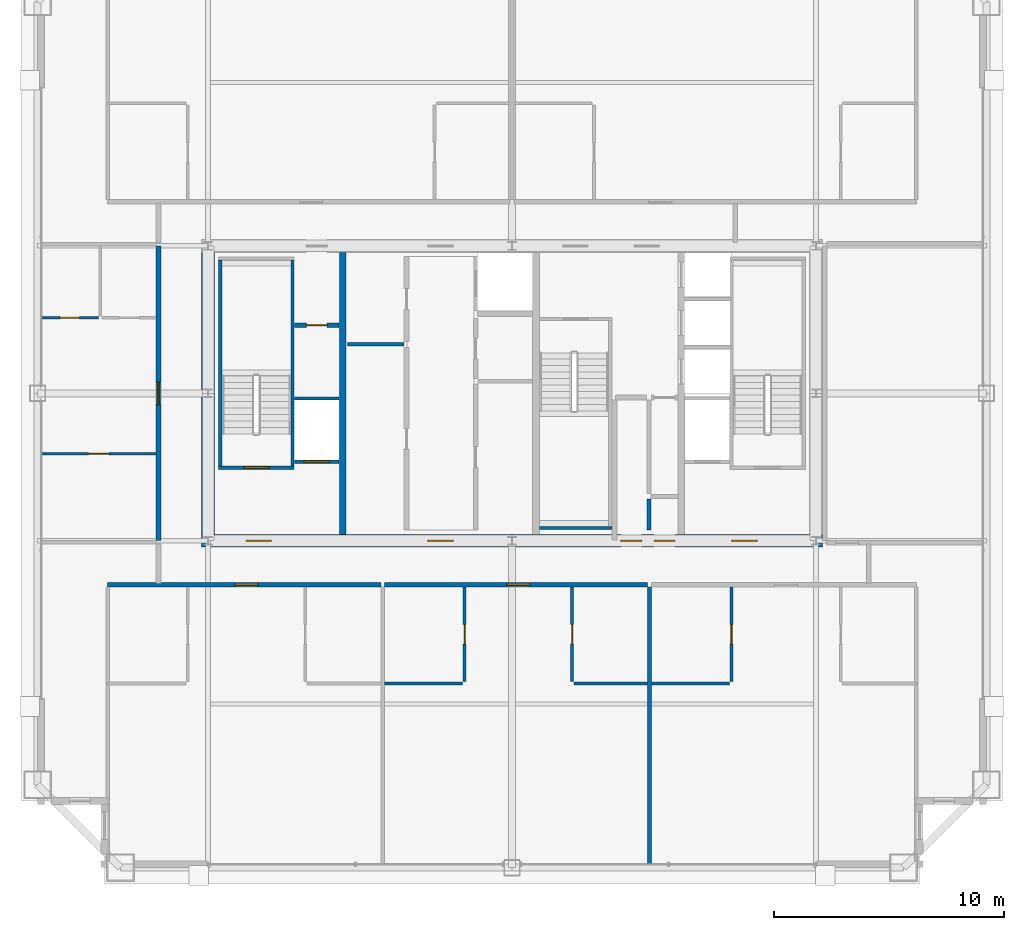
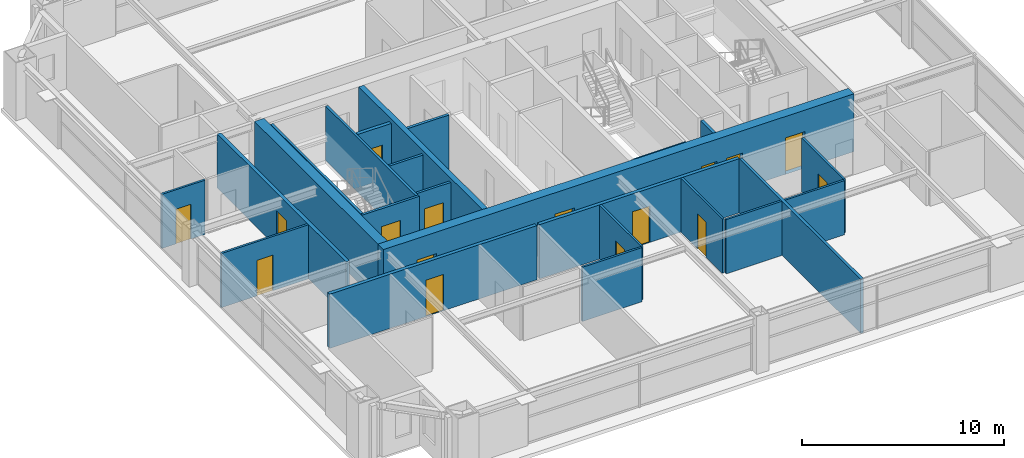
# One storey, part 33 of 37: 24 walls, 16 doors, 16 openings.
"""IFC4 building model written with IfcOpenShell, lengths in metres."""

import ifcopenshell
import ifcopenshell.guid

model = None  # the IFC model being written
_history = None  # IfcOwnerHistory: only IFC2X3 demands one
_inside = {}  # id of a spatial element -> (the spatial element, [elements in it])
_under = {}  # id of a project, library or spatial element -> (it, [spatial elements below it])
_declared = {}  # id of a project -> (the project, [libraries it declares])
_typed = {}  # id of a type object -> (the type object, [elements of that type])
_made_of = {}  # id of a material, layer set ... -> (it, [elements and type objects made of it])


def new_model(schema):
    """Start an empty IFC model of exactly this schema.

    Asked for "IFC4X3", IfcOpenShell would pick the latest addendum, in which some entities
    have other attributes; the version numbers below select the first issue.
    IFC2X3 requires an IfcOwnerHistory on every rooted entity: one is made here for all.
    """
    global model, _history
    if schema == "IFC4X3":
        model = ifcopenshell.file(schema_version=(4, 3, 0, 0))
    else:
        model = ifcopenshell.file(schema=schema)
    _inside.clear()
    _under.clear()
    _declared.clear()
    _typed.clear()
    _made_of.clear()
    _history = None
    if model.schema == "IFC2X3":
        org = make("IfcOrganization", Name="unknown")
        user = make(
            "IfcPersonAndOrganization",
            ThePerson=make("IfcPerson", FamilyName="unknown"),
            TheOrganization=org,
        )
        app = make(
            "IfcApplication",
            ApplicationDeveloper=org,
            Version="unknown",
            ApplicationFullName="unknown",
            ApplicationIdentifier="unknown",
        )
        _history = make(
            "IfcOwnerHistory",
            OwningUser=user,
            OwningApplication=app,
            ChangeAction="ADDED",
            CreationDate=0,
        )
    return model


def make(cls, **values):
    """One entity of the class cls with the attributes given. An attribute that is None is left unset."""
    return model.create_entity(
        cls, **{name: value for name, value in values.items() if value is not None}
    )


def rooted(cls, **values):
    """An entity with a GlobalId (a new one), such as an element, a storey or a relation."""
    return make(cls, GlobalId=ifcopenshell.guid.new(), OwnerHistory=_history, **values)


def si_unit(unit_type, name, prefix=None):
    """IfcSIUnit, for example si_unit("LENGTHUNIT", "METRE", prefix="MILLI")."""
    return make("IfcSIUnit", UnitType=unit_type, Prefix=prefix, Name=name)


def assignment(units):
    """IfcUnitAssignment: the units of a project."""
    return None if units is None else make("IfcUnitAssignment", Units=units)


def point(xyz):
    """IfcCartesianPoint."""
    return None if xyz is None else make("IfcCartesianPoint", Coordinates=xyz)


def direction(xyz):
    """IfcDirection."""
    return None if xyz is None else make("IfcDirection", DirectionRatios=xyz)


def frame(location, z_axis=None, x_axis=None):
    """IfcAxis2Placement3D, a coordinate frame: its origin and axes. An axis left out is left unset."""
    return make(
        "IfcAxis2Placement3D",
        Location=point(location),
        Axis=direction(z_axis),
        RefDirection=direction(x_axis),
    )


def frame_2d(location, x_axis=None):
    """IfcAxis2Placement2D, a coordinate frame in the plane: its origin and x axis."""
    return make(
        "IfcAxis2Placement2D", Location=point(location), RefDirection=direction(x_axis)
    )


def origin():
    """The frame at (0, 0, 0) with its axes left unset."""
    return frame((0.0, 0.0, 0.0))


def place(relative_to, where):
    """IfcLocalPlacement: puts the frame where relative to a parent placement (None: the world)."""
    return make(
        "IfcLocalPlacement", PlacementRelTo=relative_to, RelativePlacement=where
    )


def context(
    kind, dimensions, precision=None, world=None, true_north=None, identifier=None
):
    """IfcGeometricRepresentationContext, for example the 3D "Model" context."""
    return make(
        "IfcGeometricRepresentationContext",
        ContextIdentifier=identifier,
        ContextType=kind,
        CoordinateSpaceDimension=dimensions,
        Precision=precision,
        WorldCoordinateSystem=world,
        TrueNorth=true_north,
    )


def subcontext(parent, identifier, kind, view, scale=None):
    """IfcGeometricRepresentationSubContext, for example "Body" below "Model"."""
    return make(
        "IfcGeometricRepresentationSubContext",
        ContextIdentifier=identifier,
        ContextType=kind,
        ParentContext=parent,
        TargetScale=scale,
        TargetView=view,
    )


def project(units=None, contexts=None):
    """IfcProject with its units and contexts."""
    return rooted(
        "IfcProject",
        Name="project",
        RepresentationContexts=contexts,
        UnitsInContext=assignment(units),
    )


def spatial(cls, under=None, at=None, **own):
    """A site, building, storey or space (cls), placed at a placement, below another one or the project."""
    s = rooted(cls, ObjectPlacement=at, **own)
    if under is not None:
        _under.setdefault(under.id(), (under, []))[1].append(s)
    return s


def profile(cls, at=None, kind="AREA", **sizes):
    """A parametric profile (cls). Its sizes go by their IFC names, for example OverallWidth=200.0."""
    return make(cls, ProfileType=kind, Position=at, **sizes)


def rectangle(**sizes):
    """IfcRectangleProfileDef."""
    return profile("IfcRectangleProfileDef", **sizes)


def extrude(swept, where, along, depth):
    """IfcExtrudedAreaSolid: the profile swept, set in the frame where, extruded along a direction by depth."""
    return make(
        "IfcExtrudedAreaSolid",
        SweptArea=swept,
        Position=where,
        ExtrudedDirection=direction(along),
        Depth=depth,
    )


def shape(context_of_items, identifier, shape_type, items):
    """IfcShapeRepresentation: the items that make up one representation, for example the "Body"."""
    return make(
        "IfcShapeRepresentation",
        ContextOfItems=context_of_items,
        RepresentationIdentifier=identifier,
        RepresentationType=shape_type,
        Items=items,
    )


def source(mapping_origin, context_of_items, identifier, shape_type, items):
    """IfcRepresentationMap: a shape defined once, which mapped items show again and again."""
    return make(
        "IfcRepresentationMap",
        MappingOrigin=mapping_origin,
        MappedRepresentation=shape(context_of_items, identifier, shape_type, items),
    )


def transform(
    local_origin,
    x_axis=None,
    y_axis=None,
    z_axis=None,
    scale=None,
    scale2=None,
    scale3=None,
    uniform=True,
):
    """IfcCartesianTransformationOperator3D, or its non-uniform kind. x_axis, y_axis, z_axis: its Axis1, 2, 3."""
    if uniform:
        return make(
            "IfcCartesianTransformationOperator3D",
            Axis1=direction(x_axis),
            Axis2=direction(y_axis),
            LocalOrigin=point(local_origin),
            Scale=scale,
            Axis3=direction(z_axis),
        )
    return make(
        "IfcCartesianTransformationOperator3DnonUniform",
        Axis1=direction(x_axis),
        Axis2=direction(y_axis),
        LocalOrigin=point(local_origin),
        Scale=scale,
        Axis3=direction(z_axis),
        Scale2=scale2,
        Scale3=scale3,
    )


def mapped(mapping_source, mapping_target):
    """IfcMappedItem: shows the shape of a source again, moved by a transform."""
    return make(
        "IfcMappedItem", MappingSource=mapping_source, MappingTarget=mapping_target
    )


def material(Name=None, Category=None):
    """IfcMaterial."""
    return make("IfcMaterial", Name=Name, Category=Category)


def layer(
    of_material, thickness, ventilated=None, Name=None, Category=None, Priority=None
):
    """IfcMaterialLayer: one layer of a wall or slab, of a material (None: an air gap)."""
    return make(
        "IfcMaterialLayer",
        Material=of_material,
        LayerThickness=thickness,
        IsVentilated=ventilated,
        Name=Name,
        Category=Category,
        Priority=Priority,
    )


def layer_set(layers, Name=None):
    """IfcMaterialLayerSet."""
    return make("IfcMaterialLayerSet", MaterialLayers=layers, LayerSetName=Name)


def made_of(thing, what):
    """Note that an element or type object is made of a material, layer set ...; save() writes the relation."""
    if what is not None:
        _made_of.setdefault(what.id(), (what, []))[1].append(thing)
    return thing


def type_object(cls, material=None, **own):
    """A type object (cls), such as IfcWallType, which elements share."""
    return made_of(rooted(cls, **own), material)


def element(
    cls,
    number,
    at=None,
    inside=None,
    cuts=None,
    type_object=None,
    material=None,
    context=None,
    identifier="Body",
    shape_type=None,
    held_by="IfcProductDefinitionShape",
    body=None,
    shapes=None,
    **own,
):
    """One element of the class cls, such as IfcWall. Its Tag is "e" and its number.

    at: its placement. inside: the storey or other place that contains it. cuts: it is an
    opening in that element (IfcRelVoidsElement). A single representation is given by context,
    identifier, shape_type and body (its items); several are given by shapes. held_by: the class
    of the entity that holds the representations. save() writes the other relations.
    """
    e = rooted(cls, Tag="e%d" % number, ObjectPlacement=at, **own)
    if body is not None:
        shapes = [shape(context, identifier, shape_type, body)]
    if shapes is not None:
        e.Representation = make(held_by, Representations=shapes)
    if inside is not None:
        _inside.setdefault(inside.id(), (inside, []))[1].append(e)
    if cuts is not None:
        rooted(
            "IfcRelVoidsElement", RelatingBuildingElement=cuts, RelatedOpeningElement=e
        )
    if type_object is not None:
        _typed.setdefault(type_object.id(), (type_object, []))[1].append(e)
    return made_of(e, material)


def fill(opening, filler):
    """IfcRelFillsElement: the door or window that sits in an opening."""
    return rooted(
        "IfcRelFillsElement",
        RelatingOpeningElement=opening,
        RelatedBuildingElement=filler,
    )


def aggregate(whole, parts):
    """IfcRelAggregates: a whole, such as a stair, and the parts it consists of."""
    return rooted("IfcRelAggregates", RelatingObject=whole, RelatedObjects=parts)


def save(model, path):
    """Write the relations noted so far, then the file.

    IfcRelAggregates (storeys below a building ...), IfcRelContainedInSpatialStructure (elements
    in a storey), IfcRelDefinesByType, IfcRelAssociatesMaterial and IfcRelDeclares: one each for
    every whole, place, type object, material and project.
    """
    for whole, parts in _under.values():
        aggregate(whole, parts)
    for where, things in _inside.values():
        rooted(
            "IfcRelContainedInSpatialStructure",
            RelatedElements=things,
            RelatingStructure=where,
        )
    for kind, things in _typed.values():
        rooted("IfcRelDefinesByType", RelatedObjects=things, RelatingType=kind)
    for what, things in _made_of.values():
        rooted("IfcRelAssociatesMaterial", RelatedObjects=things, RelatingMaterial=what)
    for by, libraries in _declared.values():
        rooted("IfcRelDeclares", RelatingContext=by, RelatedDefinitions=libraries)
    model.write(path)


model = new_model("IFC4")

# Units and contexts
model_context = context("Model", 3, precision=1e-05, world=origin(), true_north=direction((0.0, 1.0)))
body_context = subcontext(model_context, "Body", "Model", "MODEL_VIEW")
ifc_project = project(units=[si_unit("LENGTHUNIT", "METRE"), si_unit("AREAUNIT", "SQUARE_METRE"), si_unit("VOLUMEUNIT", "CUBIC_METRE"), si_unit("PLANEANGLEUNIT", "RADIAN"), si_unit("MASSUNIT", "GRAM", prefix="KILO"), si_unit("THERMODYNAMICTEMPERATUREUNIT", "KELVIN"), si_unit("POWERUNIT", "WATT")], contexts=[model_context])

# Site, building, storey
site_placement = place(None, origin())
site = spatial("IfcSite", under=ifc_project, at=site_placement, CompositionType="ELEMENT")
building_placement = place(site_placement, origin())
building = spatial("IfcBuilding", under=site, at=building_placement, Name="Yuzanri Waterfront Tower", CompositionType="ELEMENT")
storey_placement = place(building_placement, frame((0.0, 0.0, 268.10009765625)))
storey = spatial("IfcBuildingStorey", under=building, at=storey_placement, Name="L71", CompositionType="ELEMENT", Elevation=268.10009765625)

# Wall, opening, door
ifc_material_1 = material(Name="Moisture-Resistant Gypsum Stud Wall", Category="gypsum")
ifc_layer_1 = layer(ifc_material_1, 0.1201171875)
ifc_layer_set_1 = layer_set([ifc_layer_1], Name="Moisture-Resistant Gypsum Stud Wall")
wall_type_1 = type_object("IfcWallType", Name="Bathroom and Kitchen Wet Partition 120", PredefinedType="PARTITIONING", material=ifc_layer_set_1)
wall_1_placement = place(storey_placement, frame((34.94091796875, 13.280029296875, 0.0), z_axis=(0.0, 0.0, 1.0), x_axis=(0.0, 1.0, 0.0)))
wall_1 = element("IfcWall", 1, at=wall_1_placement, inside=storey, type_object=wall_type_1, Name="L71 Partition UW-L71-HS2-SUB-1-E", PredefinedType="PARTITIONING", context=body_context, shape_type="SweptSolid", body=[
    extrude(rectangle(XDim=4.10986328125, YDim=0.1201171875, at=frame_2d((2.054931640625, 0.0))), origin(), (0.0, 0.0, 1.0), 3.27978515625),
])
opening_1_placement = place(wall_1_placement, frame((1.6298828125, 0.0, 0.0)))
opening_1 = element("IfcOpeningElement", 2, at=opening_1_placement, cuts=wall_1, Name="Opening ID-0850", PredefinedType="OPENING", context=body_context, shape_type="SweptSolid", body=[
    extrude(rectangle(XDim=0.85009765625, YDim=2.10009765625, at=frame_2d((0.425048828125, 1.050048828125))), frame((0.0, 0.074951171875, 0.0), z_axis=(0.0, -1.0, 0.0), x_axis=(1.0, 0.0, 0.0)), (0.0, 0.0, 1.0), 0.14990234375),
])
ifc_material_2 = material(Name="Moisture-Resistant Lacquered Timber", Category="wood")
door_type_1 = type_object("IfcDoorType", Name="En-Suite Bathroom and Kitchen Swing Door 850x2100", OperationType="NOTDEFINED", PredefinedType="DOOR", material=ifc_material_2)
shared_shape_1 = source(origin(), body_context, "Body", "SweptSolid", [
    extrude(rectangle(XDim=0.85009765625, YDim=2.10009765625, at=frame_2d((0.425048828125, 1.050048828125))), frame((0.0, 0.02490234375, 0.0), z_axis=(0.0, -1.0, 0.0), x_axis=(1.0, 0.0, 0.0)), (0.0, 0.0, 1.0), 0.050048828125),
])
door_1_placement = place(opening_1_placement, origin())
door_1 = element("IfcDoor", 3, at=door_1_placement, inside=storey, type_object=door_type_1, Name="L71 Suite Interior Room Door", OperationType="SINGLE_SWING_LEFT", OverallHeight=2.10009765625, OverallWidth=0.85009765625, PredefinedType="DOOR", context=body_context, shape_type="MappedRepresentation", body=[
    mapped(shared_shape_1, transform((0.0, 0.0, 0.0), scale=1.0)),
])
fill(opening_1, door_1)

wall_2_placement = place(storey_placement, frame((39.610107421875, 13.280029296875, 0.0), z_axis=(0.0, 0.0, 1.0), x_axis=(0.0, 1.0, 0.0)))
wall_2 = element("IfcWall", 4, at=wall_2_placement, inside=storey, type_object=wall_type_1, Name="L71 Partition UW-L71-HS2-SUB-2-W", PredefinedType="PARTITIONING", context=body_context, shape_type="SweptSolid", body=[
    extrude(rectangle(XDim=4.10986328125, YDim=0.1201171875, at=frame_2d((2.054931640625, 0.0))), origin(), (0.0, 0.0, 1.0), 3.27978515625),
])
opening_2_placement = place(wall_2_placement, frame((1.6298828125, 0.0, 0.0)))
opening_2 = element("IfcOpeningElement", 5, at=opening_2_placement, cuts=wall_2, Name="Opening ID-0850", PredefinedType="OPENING", context=body_context, shape_type="SweptSolid", body=[
    extrude(rectangle(XDim=0.85009765625, YDim=2.10009765625, at=frame_2d((0.425048828125, 1.050048828125))), frame((0.0, 0.074951171875, 0.0), z_axis=(0.0, -1.0, 0.0), x_axis=(1.0, 0.0, 0.0)), (0.0, 0.0, 1.0), 0.14990234375),
])
door_2_placement = place(opening_2_placement, origin())
door_2 = element("IfcDoor", 6, at=door_2_placement, inside=storey, type_object=door_type_1, Name="L71 Suite Interior Room Door", OperationType="SINGLE_SWING_RIGHT", OverallHeight=2.10009765625, OverallWidth=0.85009765625, PredefinedType="DOOR", context=body_context, shape_type="MappedRepresentation", body=[
    mapped(shared_shape_1, transform((0.0, 0.0, 0.0), scale=1.0)),
])
fill(opening_2, door_2)

wall_3_placement = place(storey_placement, frame((46.530029296875, 13.280029296875, 0.0), z_axis=(0.0, 0.0, 1.0), x_axis=(0.0, 1.0, 0.0)))
wall_3 = element("IfcWall", 7, at=wall_3_placement, inside=storey, type_object=wall_type_1, Name="L71 Partition UW-L71-HS3-SUB-1-E", PredefinedType="PARTITIONING", context=body_context, shape_type="SweptSolid", body=[
    extrude(rectangle(XDim=4.10986328125, YDim=0.1201171875, at=frame_2d((2.054931640625, 0.0))), origin(), (0.0, 0.0, 1.0), 3.27978515625),
])
opening_3_placement = place(wall_3_placement, frame((1.6298828125, 0.0, 0.0)))
opening_3 = element("IfcOpeningElement", 8, at=opening_3_placement, cuts=wall_3, Name="Opening ID-0850", PredefinedType="OPENING", context=body_context, shape_type="SweptSolid", body=[
    extrude(rectangle(XDim=0.85009765625, YDim=2.10009765625, at=frame_2d((0.425048828125, 1.050048828125))), frame((0.0, 0.074951171875, 0.0), z_axis=(0.0, -1.0, 0.0), x_axis=(1.0, 0.0, 0.0)), (0.0, 0.0, 1.0), 0.14990234375),
])
door_3_placement = place(opening_3_placement, origin())
door_3 = element("IfcDoor", 9, at=door_3_placement, inside=storey, type_object=door_type_1, Name="L71 Suite Interior Room Door", OperationType="SINGLE_SWING_RIGHT", OverallHeight=2.10009765625, OverallWidth=0.85009765625, PredefinedType="DOOR", context=body_context, shape_type="MappedRepresentation", body=[
    mapped(shared_shape_1, transform((0.0, 0.0, 0.0), scale=1.0)),
])
fill(opening_3, door_3)

wall_4_placement = place(storey_placement, frame((16.550048828125, 29.080078125, 0.0), z_axis=(0.0, 0.0, 1.0), x_axis=(1.0, 0.0, 0.0)))
wall_4 = element("IfcWall", 10, at=wall_4_placement, inside=storey, type_object=wall_type_1, Name="L71 Partition UW-L71-HW1-SUB-1-S", PredefinedType="PARTITIONING", context=body_context, shape_type="SweptSolid", body=[
    extrude(rectangle(XDim=2.48486328125, YDim=0.1201171875, at=frame_2d((1.242431640625, 0.0))), origin(), (0.0, 0.0, 1.0), 3.27978515625),
])
opening_4_placement = place(wall_4_placement, frame((0.8173828125, 0.0, 0.0)))
opening_4 = element("IfcOpeningElement", 11, at=opening_4_placement, cuts=wall_4, Name="Opening ID-0850", PredefinedType="OPENING", context=body_context, shape_type="SweptSolid", body=[
    extrude(rectangle(XDim=0.85009765625, YDim=2.10009765625, at=frame_2d((0.425048828125, 1.050048828125))), frame((0.0, 0.074951171875, 0.0), z_axis=(0.0, -1.0, 0.0), x_axis=(1.0, 0.0, 0.0)), (0.0, 0.0, 1.0), 0.14990234375),
])
door_4_placement = place(opening_4_placement, origin())
door_4 = element("IfcDoor", 12, at=door_4_placement, inside=storey, type_object=door_type_1, Name="L71 Suite Interior Room Door", OperationType="SINGLE_SWING_LEFT", OverallHeight=2.10009765625, OverallWidth=0.85009765625, PredefinedType="DOOR", context=body_context, shape_type="MappedRepresentation", body=[
    mapped(shared_shape_1, transform((0.0, 0.0, 0.0), scale=1.0)),
])
fill(opening_4, door_4)

wall_5_placement = place(storey_placement, frame((16.550048828125, 23.179931640625, 0.0), z_axis=(0.0, 0.0, 1.0), x_axis=(1.0, 0.0, 0.0)))
wall_5 = element("IfcWall", 13, at=wall_5_placement, inside=storey, type_object=wall_type_1, Name="L71 Partition UW-L71-HW1-SUB-3-N", PredefinedType="PARTITIONING", context=body_context, shape_type="SweptSolid", body=[
    extrude(rectangle(XDim=5.0, YDim=0.1201171875, at=frame_2d((2.5, 0.0))), origin(), (0.0, 0.0, 1.0), 3.27978515625),
])
opening_5_placement = place(wall_5_placement, frame((2.050048828125, 0.0, 0.0)))
opening_5 = element("IfcOpeningElement", 14, at=opening_5_placement, cuts=wall_5, Name="Opening ID-0900", PredefinedType="OPENING", context=body_context, shape_type="SweptSolid", body=[
    extrude(rectangle(XDim=0.89990234375, YDim=2.14990234375, at=frame_2d((0.449951171875, 1.074951171875))), frame((0.0, 0.074951171875, 0.0), z_axis=(0.0, -1.0, 0.0), x_axis=(1.0, 0.0, 0.0)), (0.0, 0.0, 1.0), 0.14990234375),
])
ifc_material_3 = material(Name="Stained Walnut Veneer Timber", Category="wood")
door_type_2 = type_object("IfcDoorType", Name="Bedroom and Study Interior Swing Door 900x2150", OperationType="NOTDEFINED", PredefinedType="DOOR", material=ifc_material_3)
shared_shape_2 = source(origin(), body_context, "Body", "SweptSolid", [
    extrude(rectangle(XDim=0.89990234375, YDim=2.14990234375, at=frame_2d((0.449951171875, 1.074951171875))), frame((0.0, 0.02490234375, 0.0), z_axis=(0.0, -1.0, 0.0), x_axis=(1.0, 0.0, 0.0)), (0.0, 0.0, 1.0), 0.050048828125),
])
door_5_placement = place(opening_5_placement, origin())
door_5 = element("IfcDoor", 15, at=door_5_placement, inside=storey, type_object=door_type_2, Name="L71 Suite Interior Room Door", OperationType="SINGLE_SWING_LEFT", OverallHeight=2.14990234375, OverallWidth=0.89990234375, PredefinedType="DOOR", context=body_context, shape_type="MappedRepresentation", body=[
    mapped(shared_shape_2, transform((0.0, 0.0, 0.0), scale=1.0)),
])
fill(opening_5, door_5)

# Wall, openings, doors
ifc_material_4 = material(Name="Concrete C50", Category="concrete")
ifc_layer_2 = layer(ifc_material_4, 0.550048828125)
ifc_layer_set_2 = layer_set([ifc_layer_2], Name="Concrete C50")
wall_type_2 = type_object("IfcWallType", Name="Concrete C50 Upper-Mid Zone Core Shear Wall 550", PredefinedType="SHEAR", material=ifc_layer_set_2)
wall_6_placement = place(storey_placement, frame((23.52490234375, 19.39990234375, 0.0), z_axis=(0.0, 0.0, 1.0), x_axis=(1.0, 0.0, 0.0)))
wall_6 = element("IfcWall", 16, at=wall_6_placement, inside=storey, type_object=wall_type_2, Name="L71 Core South Shear Wall", PredefinedType="SHEAR", context=body_context, shape_type="SweptSolid", body=[
    extrude(rectangle(XDim=26.9501953125, YDim=0.550048828125, at=frame_2d((13.47509765625, 0.0))), origin(), (0.0, 0.0, 1.0), 3.5),
])
opening_6_placement = place(wall_6_placement, frame((1.925048828125, 0.0, 0.0)))
opening_6 = element("IfcOpeningElement", 17, at=opening_6_placement, cuts=wall_6, Name="Opening FD-1100", PredefinedType="OPENING", context=body_context, shape_type="SweptSolid", body=[
    extrude(rectangle(XDim=1.10009765625, YDim=2.199951171875, at=frame_2d((0.550048828125, 1.10009765625))), frame((0.0, 0.2900390625, 0.0), z_axis=(0.0, -1.0, 0.0), x_axis=(1.0, 0.0, 0.0)), (0.0, 0.0, 1.0), 0.579833984375),
])
opening_7_placement = place(wall_6_placement, frame((9.824951171875, 0.0, 0.0)))
opening_7 = element("IfcOpeningElement", 18, at=opening_7_placement, cuts=wall_6, Name="Opening FD-1100", PredefinedType="OPENING", context=body_context, shape_type="SweptSolid", body=[
    extrude(rectangle(XDim=1.10009765625, YDim=2.199951171875, at=frame_2d((0.550048828125, 1.10009765625))), frame((0.0, 0.2900390625, 0.0), z_axis=(0.0, -1.0, 0.0), x_axis=(1.0, 0.0, 0.0)), (0.0, 0.0, 1.0), 0.579833984375),
])
opening_8_placement = place(wall_6_placement, frame((23.02490234375, 0.0, 0.0)))
opening_8 = element("IfcOpeningElement", 19, at=opening_8_placement, cuts=wall_6, Name="Opening FD-1100", PredefinedType="OPENING", context=body_context, shape_type="SweptSolid", body=[
    extrude(rectangle(XDim=1.10009765625, YDim=2.199951171875, at=frame_2d((0.550048828125, 1.10009765625))), frame((0.0, 0.2900390625, 0.0), z_axis=(0.0, -1.0, 0.0), x_axis=(1.0, 0.0, 0.0)), (0.0, 0.0, 1.0), 0.579833984375),
])
opening_9_placement = place(wall_6_placement, frame((19.64501953125, 0.0, 0.0)))
opening_9 = element("IfcOpeningElement", 20, at=opening_9_placement, cuts=wall_6, Name="Opening FD-0900", PredefinedType="OPENING", context=body_context, shape_type="SweptSolid", body=[
    extrude(rectangle(XDim=0.89990234375, YDim=2.14990234375, at=frame_2d((0.449951171875, 1.074951171875))), frame((0.0, 0.2900390625, 0.0), z_axis=(0.0, -1.0, 0.0), x_axis=(1.0, 0.0, 0.0)), (0.0, 0.0, 1.0), 0.579833984375),
])
opening_10_placement = place(wall_6_placement, frame((18.205078125, 0.0, 0.0)))
opening_10 = element("IfcOpeningElement", 21, at=opening_10_placement, cuts=wall_6, Name="Opening FD-0900", PredefinedType="OPENING", context=body_context, shape_type="SweptSolid", body=[
    extrude(rectangle(XDim=0.89990234375, YDim=2.14990234375, at=frame_2d((0.449951171875, 1.074951171875))), frame((0.0, 0.2900390625, 0.0), z_axis=(0.0, -1.0, 0.0), x_axis=(1.0, 0.0, 0.0)), (0.0, 0.0, 1.0), 0.579833984375),
])
ifc_material_5 = material(Name="Painted Galvanized Fire Steel", Category="steel")
door_type_3 = type_object("IfcDoorType", Name="Smoke-Proof Stair and Lobby Fire Door 1100x2200", OperationType="NOTDEFINED", PredefinedType="DOOR", material=ifc_material_5)
shared_shape_3 = source(origin(), body_context, "Body", "SweptSolid", [
    extrude(rectangle(XDim=1.10009765625, YDim=2.199951171875, at=frame_2d((0.550048828125, 1.10009765625))), frame((0.0, 0.02490234375, 0.0), z_axis=(0.0, -1.0, 0.0), x_axis=(1.0, 0.0, 0.0)), (0.0, 0.0, 1.0), 0.050048828125),
])
door_6_placement = place(opening_6_placement, origin())
door_6 = element("IfcDoor", 22, at=door_6_placement, inside=storey, type_object=door_type_3, Name="L71 West Firefighting Lobby Door", OperationType="SINGLE_SWING_RIGHT", OverallHeight=2.199951171875, OverallWidth=1.10009765625, PredefinedType="DOOR", context=body_context, shape_type="MappedRepresentation", body=[
    mapped(shared_shape_3, transform((0.0, 0.0, 0.0), scale=1.0)),
])
fill(opening_6, door_6)
door_7_placement = place(opening_7_placement, origin())
door_7 = element("IfcDoor", 23, at=door_7_placement, inside=storey, type_object=door_type_3, Name="L71 Central Lift Lobby South Door", OperationType="SINGLE_SWING_LEFT", OverallHeight=2.199951171875, OverallWidth=1.10009765625, PredefinedType="DOOR", context=body_context, shape_type="MappedRepresentation", body=[
    mapped(shared_shape_3, transform((0.0, 0.0, 0.0), scale=1.0)),
])
fill(opening_7, door_7)
door_8_placement = place(opening_8_placement, origin())
door_8 = element("IfcDoor", 24, at=door_8_placement, inside=storey, type_object=door_type_3, Name="L71 East Firefighting Lobby Door", OperationType="SINGLE_SWING_RIGHT", OverallHeight=2.199951171875, OverallWidth=1.10009765625, PredefinedType="DOOR", context=body_context, shape_type="MappedRepresentation", body=[
    mapped(shared_shape_3, transform((0.0, 0.0, 0.0), scale=1.0)),
])
fill(opening_8, door_8)
ifc_material_6 = material(Name="Painted Galvanized Fire Steel", Category="steel")
door_type_4 = type_object("IfcDoorType", Name="Riser and Service Room Fire Door 900x2150", OperationType="NOTDEFINED", PredefinedType="DOOR", material=ifc_material_6)
shared_shape_4 = source(origin(), body_context, "Body", "SweptSolid", [
    extrude(rectangle(XDim=0.89990234375, YDim=2.14990234375, at=frame_2d((0.449951171875, 1.074951171875))), frame((0.0, 0.02490234375, 0.0), z_axis=(0.0, -1.0, 0.0), x_axis=(1.0, 0.0, 0.0)), (0.0, 0.0, 1.0), 0.050048828125),
])
door_9_placement = place(opening_9_placement, origin())
door_9 = element("IfcDoor", 25, at=door_9_placement, inside=storey, type_object=door_type_4, Name="L71 East Wet Riser Door", OperationType="SINGLE_SWING_RIGHT", OverallHeight=2.14990234375, OverallWidth=0.89990234375, PredefinedType="DOOR", context=body_context, shape_type="MappedRepresentation", body=[
    mapped(shared_shape_4, transform((0.0, 0.0, 0.0), scale=1.0)),
])
fill(opening_9, door_9)
door_10_placement = place(opening_10_placement, origin())
door_10 = element("IfcDoor", 26, at=door_10_placement, inside=storey, type_object=door_type_4, Name="L71 Cleaners Store Room", OperationType="SINGLE_SWING_LEFT", OverallHeight=2.14990234375, OverallWidth=0.89990234375, PredefinedType="DOOR", context=body_context, shape_type="MappedRepresentation", body=[
    mapped(shared_shape_4, transform((0.0, 0.0, 0.0), scale=1.0)),
])
fill(opening_10, door_10)

# Wall, opening, door
ifc_material_7 = material(Name="Concrete C40", Category="concrete")
ifc_layer_3 = layer(ifc_material_7, 0.139892578125)
ifc_layer_set_3 = layer_set([ifc_layer_3], Name="Concrete C40")
wall_type_3 = type_object("IfcWallType", Name="Core Stair Liner and Hoistway Shaft Wall 140", PredefinedType="SOLIDWALL", material=ifc_layer_set_3)
wall_7_placement = place(storey_placement, frame((27.56005859375, 22.830078125, 0.0), z_axis=(0.0, 0.0, 1.0), x_axis=(1.0, 0.0, 0.0)))
wall_7 = element("IfcWall", 27, at=wall_7_placement, inside=storey, type_object=wall_type_3, Name="L71 Lift FL-01 Front Shaft Wall", PredefinedType="SOLIDWALL", context=body_context, shape_type="SweptSolid", body=[
    extrude(rectangle(XDim=1.919921875, YDim=0.139892578125, at=frame_2d((0.9599609375, 0.0))), origin(), (0.0, 0.0, 1.0), 3.27978515625),
])
opening_11_placement = place(wall_7_placement, frame((0.409912109375, 0.0, 0.0)))
opening_11 = element("IfcOpeningElement", 28, at=opening_11_placement, cuts=wall_7, Name="Opening LD-FL-01", PredefinedType="OPENING", context=body_context, shape_type="SweptSolid", body=[
    extrude(rectangle(XDim=1.10009765625, YDim=2.199951171875, at=frame_2d((0.550048828125, 1.10009765625))), frame((0.0, 0.0849609375, 0.0), z_axis=(0.0, -1.0, 0.0), x_axis=(1.0, 0.0, 0.0)), (0.0, 0.0, 1.0), 0.169677734375),
])
ifc_material_8 = material(Name="Brushed Bronze and Stainless Steel Cab", Category="steel")
door_type_5 = type_object("IfcDoorType", Name="Center-Parting Bronze Lift Landing Sliding Door 1100x2200", OperationType="NOTDEFINED", PredefinedType="DOOR", material=ifc_material_8)
shared_shape_5 = source(origin(), body_context, "Body", "SweptSolid", [
    extrude(rectangle(XDim=1.10009765625, YDim=2.199951171875, at=frame_2d((0.550048828125, 1.10009765625))), frame((0.0, 0.02490234375, 0.0), z_axis=(0.0, -1.0, 0.0), x_axis=(1.0, 0.0, 0.0)), (0.0, 0.0, 1.0), 0.050048828125),
])
door_11_placement = place(opening_11_placement, origin())
door_11 = element("IfcDoor", 29, at=door_11_placement, inside=storey, type_object=door_type_5, Name="L71 FL-01 Lift Landing Sliding Door", OperationType="SLIDING_TO_LEFT", OverallHeight=2.199951171875, OverallWidth=1.10009765625, PredefinedType="DOOR", context=body_context, shape_type="MappedRepresentation", body=[
    mapped(shared_shape_5, transform((0.0, 0.0, 0.0), scale=1.0)),
])
fill(opening_11, door_11)

wall_8_placement = place(storey_placement, frame((24.260009765625, 22.570068359375, 0.0), z_axis=(0.0, 0.0, 1.0), x_axis=(1.0, 0.0, 0.0)))
wall_8 = element("IfcWall", 30, at=wall_8_placement, inside=storey, type_object=wall_type_3, Name="L71 Shaft Wall STW-L71-ST-01-S", PredefinedType="SOLIDWALL", context=body_context, shape_type="SweptSolid", body=[
    extrude(rectangle(XDim=3.280029296875, YDim=0.139892578125, at=frame_2d((1.64013671875, 0.0))), origin(), (0.0, 0.0, 1.0), 3.27978515625),
])
opening_12_placement = place(wall_8_placement, frame((1.090087890625, 0.0, 0.0)))
opening_12 = element("IfcOpeningElement", 31, at=opening_12_placement, cuts=wall_8, Name="Opening FD-1100", PredefinedType="OPENING", context=body_context, shape_type="SweptSolid", body=[
    extrude(rectangle(XDim=1.10009765625, YDim=2.199951171875, at=frame_2d((0.550048828125, 1.10009765625))), frame((0.0, 0.0849609375, 0.0), z_axis=(0.0, -1.0, 0.0), x_axis=(1.0, 0.0, 0.0)), (0.0, 0.0, 1.0), 0.169677734375),
])
door_12_placement = place(opening_12_placement, origin())
door_12 = element("IfcDoor", 32, at=door_12_placement, inside=storey, type_object=door_type_3, Name="L71 Stair ST-01 Fire Door", OperationType="SINGLE_SWING_LEFT", OverallHeight=2.199951171875, OverallWidth=1.10009765625, PredefinedType="DOOR", context=body_context, shape_type="MappedRepresentation", body=[
    mapped(shared_shape_3, transform((0.0, 0.0, 0.0), scale=1.0)),
])
fill(opening_12, door_12)

ifc_material_9 = material(Name="Autoclaved Aerated Concrete Blockwork", Category="masonry")
ifc_layer_4 = layer(ifc_material_9, 0.199951171875)
ifc_layer_set_4 = layer_set([ifc_layer_4], Name="Autoclaved Aerated Concrete Blockwork")
wall_type_4 = type_object("IfcWallType", Name="Corridor and Unit Party Fire Wall 200", PredefinedType="PARTITIONING", material=ifc_layer_set_4)
wall_9_placement = place(storey_placement, frame((27.56005859375, 28.75, 0.0), z_axis=(0.0, 0.0, 1.0), x_axis=(1.0, 0.0, 0.0)))
wall_9 = element("IfcWall", 33, at=wall_9_placement, inside=storey, type_object=wall_type_4, Name="L71 Partition CRW-L71-ERTR", PredefinedType="PARTITIONING", context=body_context, shape_type="SweptSolid", body=[
    extrude(rectangle(XDim=1.919921875, YDim=0.199951171875, at=frame_2d((0.9599609375, 0.0))), origin(), (0.0, 0.0, 1.0), 3.27978515625),
])
opening_13_placement = place(wall_9_placement, frame((0.510009765625, 0.0, 0.0)))
opening_13 = element("IfcOpeningElement", 34, at=opening_13_placement, cuts=wall_9, Name="Opening FD-0900", PredefinedType="OPENING", context=body_context, shape_type="SweptSolid", body=[
    extrude(rectangle(XDim=0.89990234375, YDim=2.14990234375, at=frame_2d((0.449951171875, 1.074951171875))), frame((0.0, 0.11474609375, 0.0), z_axis=(0.0, -1.0, 0.0), x_axis=(1.0, 0.0, 0.0)), (0.0, 0.0, 1.0), 0.229736328125),
])
door_13_placement = place(opening_13_placement, origin())
door_13 = element("IfcDoor", 35, at=door_13_placement, inside=storey, type_object=door_type_4, Name="L71 Electrical Riser Door", OperationType="SINGLE_SWING_LEFT", OverallHeight=2.14990234375, OverallWidth=0.89990234375, PredefinedType="DOOR", context=body_context, shape_type="MappedRepresentation", body=[
    mapped(shared_shape_4, transform((0.0, 0.0, 0.0), scale=1.0)),
])
fill(opening_13, door_13)

wall_10_placement = place(storey_placement, frame((19.43994140625, 17.489990234375, 0.0), z_axis=(0.0, 0.0, 1.0), x_axis=(1.0, 0.0, 0.0)))
wall_10 = element("IfcWall", 36, at=wall_10_placement, inside=storey, type_object=wall_type_4, Name="L71 Partition UW-L71-HS1-CN", PredefinedType="PARTITIONING", context=body_context, shape_type="SweptSolid", body=[
    extrude(rectangle(XDim=11.861083984375, YDim=0.199951171875, at=frame_2d((5.9306640625, 0.0))), origin(), (0.0, 0.0, 1.0), 3.27978515625),
])
opening_14_placement = place(wall_10_placement, frame((5.531005859375, 0.0, 0.0)))
opening_14 = element("IfcOpeningElement", 37, at=opening_14_placement, cuts=wall_10, Name="Opening FD-1000", PredefinedType="OPENING", context=body_context, shape_type="SweptSolid", body=[
    extrude(rectangle(XDim=1.0, YDim=2.199951171875, at=frame_2d((0.5, 1.10009765625))), frame((0.0, 0.11474609375, 0.0), z_axis=(0.0, -1.0, 0.0), x_axis=(1.0, 0.0, 0.0)), (0.0, 0.0, 1.0), 0.229736328125),
])
ifc_material_10 = material(Name="Engineered Oak Fire-Rated Timber", Category="wood")
door_type_6 = type_object("IfcDoorType", Name="Guestroom and Apartment Entrance Fire Door 1000x2200", OperationType="NOTDEFINED", PredefinedType="DOOR", material=ifc_material_10)
shared_shape_6 = source(origin(), body_context, "Body", "SweptSolid", [
    extrude(rectangle(XDim=1.0, YDim=2.199951171875, at=frame_2d((0.5, 1.10009765625))), frame((0.0, 0.02490234375, 0.0), z_axis=(0.0, -1.0, 0.0), x_axis=(1.0, 0.0, 0.0)), (0.0, 0.0, 1.0), 0.050048828125),
])
door_14_placement = place(opening_14_placement, origin())
door_14 = element("IfcDoor", 38, at=door_14_placement, inside=storey, type_object=door_type_6, Name="L71 Studio Living and Sleeping Room Entrance Door", OperationType="SINGLE_SWING_LEFT", OverallHeight=2.199951171875, OverallWidth=1.0, PredefinedType="DOOR", context=body_context, shape_type="MappedRepresentation", body=[
    mapped(shared_shape_6, transform((0.0, 0.0, 0.0), scale=1.0)),
])
fill(opening_14, door_14)

wall_11_placement = place(storey_placement, frame((31.4609375, 17.489990234375, 0.0), z_axis=(0.0, 0.0, 1.0), x_axis=(1.0, 0.0, 0.0)))
wall_11 = element("IfcWall", 39, at=wall_11_placement, inside=storey, type_object=wall_type_4, Name="L71 Partition UW-L71-HS2-CN", PredefinedType="PARTITIONING", context=body_context, shape_type="SweptSolid", body=[
    extrude(rectangle(XDim=11.428955078125, YDim=0.199951171875, at=frame_2d((5.71435546875, 0.0))), origin(), (0.0, 0.0, 1.0), 3.27978515625),
])
opening_15_placement = place(wall_11_placement, frame((5.31396484375, 0.0, 0.0)))
opening_15 = element("IfcOpeningElement", 40, at=opening_15_placement, cuts=wall_11, Name="Opening FD-1000", PredefinedType="OPENING", context=body_context, shape_type="SweptSolid", body=[
    extrude(rectangle(XDim=1.0, YDim=2.199951171875, at=frame_2d((0.5, 1.10009765625))), frame((0.0, 0.11474609375, 0.0), z_axis=(0.0, -1.0, 0.0), x_axis=(1.0, 0.0, 0.0)), (0.0, 0.0, 1.0), 0.229736328125),
])
door_15_placement = place(opening_15_placement, origin())
door_15 = element("IfcDoor", 41, at=door_15_placement, inside=storey, type_object=door_type_6, Name="L71 Studio Living and Sleeping Room Entrance Door", OperationType="SINGLE_SWING_RIGHT", OverallHeight=2.199951171875, OverallWidth=1.0, PredefinedType="DOOR", context=body_context, shape_type="MappedRepresentation", body=[
    mapped(shared_shape_6, transform((0.0, 0.0, 0.0), scale=1.0)),
])
fill(opening_15, door_15)

wall_12_placement = place(storey_placement, frame((21.64990234375, 19.409912109375, 0.0), z_axis=(0.0, 0.0, 1.0), x_axis=(0.0, 1.0, 0.0)))
wall_12 = element("IfcWall", 42, at=wall_12_placement, inside=storey, type_object=wall_type_4, Name="L71 Partition UW-L71-HW1-CW", PredefinedType="PARTITIONING", context=body_context, shape_type="SweptSolid", body=[
    extrude(rectangle(XDim=12.780029296875, YDim=0.199951171875, at=frame_2d((6.39013671875, 0.0))), origin(), (0.0, 0.0, 1.0), 3.27978515625),
])
opening_16_placement = place(wall_12_placement, frame((5.889892578125, 0.0, 0.0)))
opening_16 = element("IfcOpeningElement", 43, at=opening_16_placement, cuts=wall_12, Name="Opening FD-1000", PredefinedType="OPENING", context=body_context, shape_type="SweptSolid", body=[
    extrude(rectangle(XDim=1.0, YDim=2.199951171875, at=frame_2d((0.5, 1.10009765625))), frame((0.0, 0.11474609375, 0.0), z_axis=(0.0, -1.0, 0.0), x_axis=(1.0, 0.0, 0.0)), (0.0, 0.0, 1.0), 0.229736328125),
])
door_16_placement = place(opening_16_placement, origin())
door_16 = element("IfcDoor", 44, at=door_16_placement, inside=storey, type_object=door_type_6, Name="L71 Apartment Living Room Entrance Door", OperationType="SINGLE_SWING_RIGHT", OverallHeight=2.199951171875, OverallWidth=1.0, PredefinedType="DOOR", context=body_context, shape_type="MappedRepresentation", body=[
    mapped(shared_shape_6, transform((0.0, 0.0, 0.0), scale=1.0)),
])
fill(opening_16, door_16)

# Walls
shared_shape_7 = source(origin(), body_context, "Body", "SweptSolid", [
    extrude(rectangle(XDim=12.25, YDim=0.550048828125, at=frame_2d((6.125, 0.0))), origin(), (0.0, 0.0, 1.0), 3.5),
])
wall_13_placement = place(storey_placement, frame((23.800048828125, 19.675048828125, 0.0), z_axis=(0.0, 0.0, 1.0), x_axis=(0.0, 1.0, 0.0)))
element("IfcWall", 45, at=wall_13_placement, inside=storey, type_object=wall_type_2, Name="L71 Core West Shear Wall", PredefinedType="SHEAR", context=body_context, shape_type="MappedRepresentation", body=[
    mapped(shared_shape_7, transform((0.0, 0.0, 0.0), scale=1.0)),
])
ifc_material_11 = material(Name="Concrete C50", Category="concrete")
ifc_layer_5 = layer(ifc_material_11, 0.300048828125)
ifc_layer_set_5 = layer_set([ifc_layer_5], Name="Concrete C50")
wall_type_5 = type_object("IfcWallType", Name="Concrete C50 Internal Core Shaft Structural Wall 300", PredefinedType="SOLIDWALL", material=ifc_layer_set_5)
shared_shape_8 = source(origin(), body_context, "Body", "SweptSolid", [
    extrude(rectangle(XDim=12.25, YDim=0.300048828125, at=frame_2d((6.125, 0.0))), origin(), (0.0, 0.0, 1.0), 3.5),
])
wall_14_placement = place(storey_placement, frame((29.64990234375, 19.675048828125, 0.0), z_axis=(0.0, 0.0, 1.0), x_axis=(0.0, 1.0, 0.0)))
element("IfcWall", 46, at=wall_14_placement, inside=storey, type_object=wall_type_5, Name="L71 Core Internal Structural Web Wall 1", PredefinedType="SOLIDWALL", context=body_context, shape_type="MappedRepresentation", body=[
    mapped(shared_shape_8, transform((0.0, 0.0, 0.0), scale=1.0)),
])
shared_shape_9 = source(origin(), body_context, "Body", "SweptSolid", [
    extrude(rectangle(XDim=1.919921875, YDim=0.139892578125, at=frame_2d((0.9599609375, 0.0))), origin(), (0.0, 0.0, 1.0), 3.27978515625),
])
wall_15_placement = place(storey_placement, frame((27.56005859375, 25.570068359375, 0.0), z_axis=(0.0, 0.0, 1.0), x_axis=(1.0, 0.0, 0.0)))
element("IfcWall", 47, at=wall_15_placement, inside=storey, type_object=wall_type_3, Name="L71 Lift FL-01 Back Shaft Wall", PredefinedType="SOLIDWALL", context=body_context, shape_type="MappedRepresentation", body=[
    mapped(shared_shape_9, transform((0.0, 0.0, 0.0), scale=1.0)),
])
shared_shape_10 = source(origin(), body_context, "Body", "SweptSolid", [
    extrude(rectangle(XDim=8.940185546875, YDim=0.139892578125, at=frame_2d((4.47021484375, 0.0))), origin(), (0.0, 0.0, 1.0), 3.27978515625),
])
for number, where, z_axis, x_axis, name in (
    (48, (24.330078125, 22.639892578125, 0.0), (0.0, 0.0, 1.0), (0.0, 1.0, 0.0), "L71 Stair ST-01 West Shaft Wall"),
    (49, (27.469970703125, 22.639892578125, 0.0), (0.0, 0.0, 1.0), (0.0, 1.0, 0.0), "L71 Stair ST-01 East Shaft Wall"),
):
    element("IfcWall", number, at=place(storey_placement, frame(where, z_axis=z_axis, x_axis=x_axis)), inside=storey, type_object=wall_type_3, Name=name, PredefinedType="SOLIDWALL", context=body_context, shape_type="MappedRepresentation", body=[
        mapped(shared_shape_10, transform((0.0, 0.0, 0.0), scale=1.0)),
    ])
shared_shape_11 = source(origin(), body_context, "Body", "SweptSolid", [
    extrude(rectangle(XDim=3.14013671875, YDim=0.139892578125, at=frame_2d((1.570068359375, 0.0))), origin(), (0.0, 0.0, 1.0), 3.27978515625),
])
wall_16_placement = place(storey_placement, frame((38.199951171875, 19.949951171875, 0.0), z_axis=(0.0, 0.0, 1.0), x_axis=(1.0, 0.0, 0.0)))
element("IfcWall", 50, at=wall_16_placement, inside=storey, type_object=wall_type_3, Name="L71 Stair ST-03 South Shaft Wall", PredefinedType="SOLIDWALL", context=body_context, shape_type="MappedRepresentation", body=[
    mapped(shared_shape_11, transform((0.0, 0.0, 0.0), scale=1.0)),
])
ifc_material_12 = material(Name="Gypsum Fireboard Acoustic Stud Wall", Category="gypsum")
ifc_layer_6 = layer(ifc_material_12, 0.159912109375)
ifc_layer_set_6 = layer_set([ifc_layer_6], Name="Gypsum Fireboard Acoustic Stud Wall")
wall_type_6 = type_object("IfcWallType", Name="Acoustic Suite Demising Partition 160", PredefinedType="PARTITIONING", material=ifc_layer_set_6)
shared_shape_12 = source(origin(), body_context, "Body", "SweptSolid", [
    extrude(rectangle(XDim=2.469970703125, YDim=0.159912109375, at=frame_2d((1.23486328125, 0.0))), origin(), (0.0, 0.0, 1.0), 3.27978515625),
])
wall_17_placement = place(storey_placement, frame((29.85009765625, 27.929931640625, 0.0), z_axis=(0.0, 0.0, 1.0), x_axis=(1.0, 0.0, 0.0)))
element("IfcWall", 51, at=wall_17_placement, inside=storey, type_object=wall_type_6, Name="L71 Reclaimed Core Divider 2", PredefinedType="PARTITIONING", context=body_context, shape_type="MappedRepresentation", body=[
    mapped(shared_shape_12, transform((0.0, 0.0, 0.0), scale=1.0)),
])
shared_shape_13 = source(origin(), body_context, "Body", "SweptSolid", [
    extrude(rectangle(XDim=1.33984375, YDim=0.159912109375, at=frame_2d((0.669921875, 0.0))), origin(), (0.0, 0.0, 1.0), 3.27978515625),
])
wall_18_placement = place(storey_placement, frame((42.949951171875, 19.860107421875, 0.0), z_axis=(0.0, 0.0, 1.0), x_axis=(0.0, 1.0, 0.0)))
element("IfcWall", 52, at=wall_18_placement, inside=storey, type_object=wall_type_6, Name="L71 East Wet Riser West Wall", PredefinedType="PARTITIONING", context=body_context, shape_type="MappedRepresentation", body=[
    mapped(shared_shape_13, transform((0.0, 0.0, 0.0), scale=1.0)),
])
shared_shape_14 = source(origin(), body_context, "Body", "SweptSolid", [
    extrude(rectangle(XDim=12.039794921875, YDim=0.159912109375, at=frame_2d((6.02001953125, 0.0))), origin(), (0.0, 0.0, 1.0), 3.27978515625),
])
wall_19_placement = place(storey_placement, frame((42.969970703125, 5.35009765625, 0.0), z_axis=(0.0, 0.0, 1.0), x_axis=(0.0, 1.0, 0.0)))
element("IfcWall", 53, at=wall_19_placement, inside=storey, type_object=wall_type_6, Name="L71-HS2 Party Wall", PredefinedType="PARTITIONING", context=body_context, shape_type="MappedRepresentation", body=[
    mapped(shared_shape_14, transform((0.0, 0.0, 0.0), scale=1.0)),
])
shared_shape_15 = source(origin(), body_context, "Body", "SweptSolid", [
    extrude(rectangle(XDim=3.400146484375, YDim=0.1201171875, at=frame_2d((1.7001953125, 0.0))), origin(), (0.0, 0.0, 1.0), 3.27978515625),
])
wall_20_placement = place(storey_placement, frame((31.4609375, 13.199951171875, 0.0), z_axis=(0.0, 0.0, 1.0), x_axis=(1.0, 0.0, 0.0)))
element("IfcWall", 54, at=wall_20_placement, inside=storey, type_object=wall_type_1, Name="L71 Partition UW-L71-HS2-SUB-1-S", PredefinedType="PARTITIONING", context=body_context, shape_type="MappedRepresentation", body=[
    mapped(shared_shape_15, transform((0.0, 0.0, 0.0), scale=1.0)),
])
shared_shape_16 = source(origin(), body_context, "Body", "SweptSolid", [
    extrude(rectangle(XDim=3.199951171875, YDim=0.1201171875, at=frame_2d((1.60009765625, 0.0))), origin(), (0.0, 0.0, 1.0), 3.27978515625),
])
wall_21_placement = place(storey_placement, frame((39.68994140625, 13.199951171875, 0.0), z_axis=(0.0, 0.0, 1.0), x_axis=(1.0, 0.0, 0.0)))
element("IfcWall", 55, at=wall_21_placement, inside=storey, type_object=wall_type_1, Name="L71 Partition UW-L71-HS2-SUB-2-S", PredefinedType="PARTITIONING", context=body_context, shape_type="MappedRepresentation", body=[
    mapped(shared_shape_16, transform((0.0, 0.0, 0.0), scale=1.0)),
])
shared_shape_17 = source(origin(), body_context, "Body", "SweptSolid", [
    extrude(rectangle(XDim=3.39990234375, YDim=0.1201171875, at=frame_2d((1.699951171875, 0.0))), origin(), (0.0, 0.0, 1.0), 3.27978515625),
])
wall_22_placement = place(storey_placement, frame((43.050048828125, 13.199951171875, 0.0), z_axis=(0.0, 0.0, 1.0), x_axis=(1.0, 0.0, 0.0)))
element("IfcWall", 56, at=wall_22_placement, inside=storey, type_object=wall_type_1, Name="L71 Partition UW-L71-HS3-SUB-1-S", PredefinedType="PARTITIONING", context=body_context, shape_type="MappedRepresentation", body=[
    mapped(shared_shape_17, transform((0.0, 0.0, 0.0), scale=1.0)),
])

save(model, "model.ifc")
